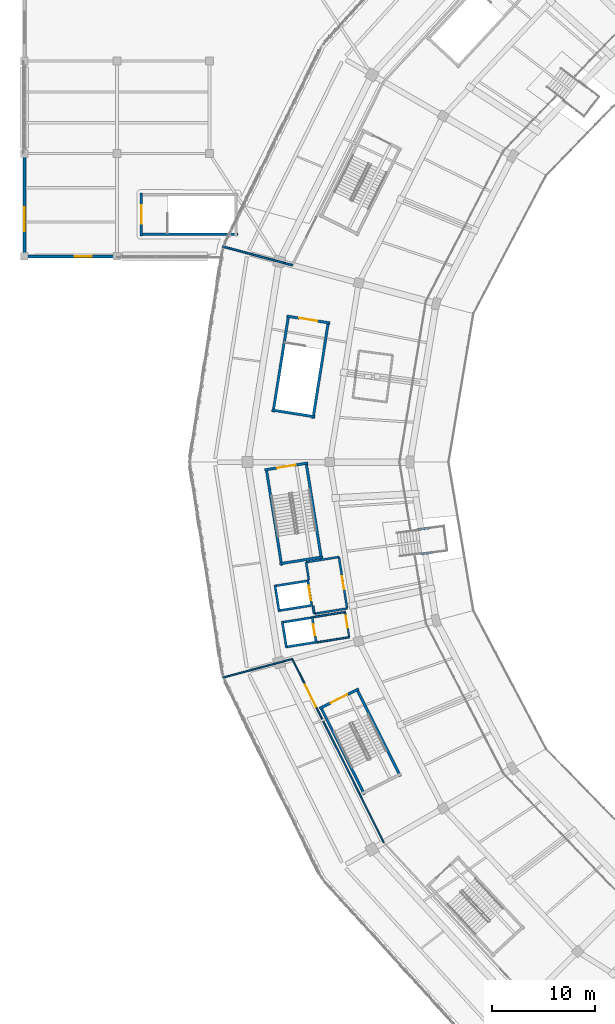
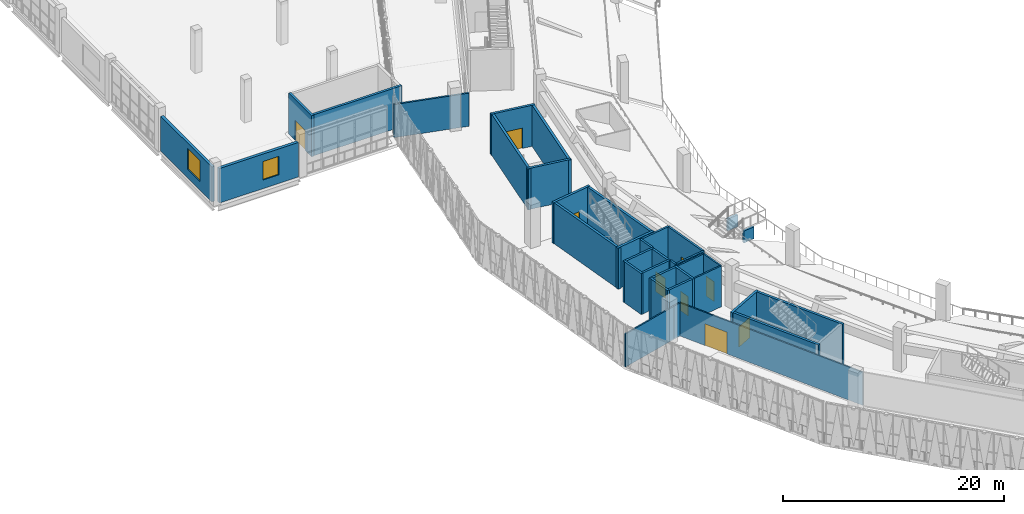
# One storey, part 93 of 152: 38 walls, 9 doors, 2 windows, 11 openings.
"""IFC4 building model written with IfcOpenShell, lengths in metres."""

from ifc_helpers import new_model, si_unit, direction, frame, frame_2d, origin, place, context, subcontext, project, spatial, rectangle, extrude, material, layer, layer_set, type_object, element, fill, save


model = new_model("IFC4")

# Units and contexts
model_context = context("Model", 3, precision=1e-05, world=origin(), true_north=direction((0.0, 1.0)))
body_context = subcontext(model_context, "Body", "Model", "MODEL_VIEW")
ifc_project = project(units=[si_unit("LENGTHUNIT", "METRE"), si_unit("AREAUNIT", "SQUARE_METRE"), si_unit("VOLUMEUNIT", "CUBIC_METRE"), si_unit("PLANEANGLEUNIT", "RADIAN"), si_unit("MASSUNIT", "GRAM", prefix="KILO")], contexts=[model_context])

# Site, building, storey
site_placement = place(None, origin())
site = spatial("IfcSite", under=ifc_project, at=site_placement, CompositionType="ELEMENT")
building_placement = place(site_placement, origin())
building = spatial("IfcBuilding", under=site, at=building_placement, Name="Zevraka Park Crest Stadium", CompositionType="ELEMENT")
storey_placement = place(building_placement, frame((0.0, 0.0, 15.0)))
storey = spatial("IfcBuildingStorey", under=building, at=storey_placement, Name="L03", CompositionType="ELEMENT", Elevation=15.0)

# Wall, opening, window
ifc_material_1 = material(Name="Limestone and red clay brick masonry", Category="masonry")
ifc_layer_1 = layer(ifc_material_1, 0.300048828125)
ifc_layer_set_1 = layer_set([ifc_layer_1], Name="Limestone and red clay brick masonry")
wall_type_1 = type_object("IfcWallType", Name="EW02", PredefinedType="STANDARD", material=ifc_layer_set_1)
wall_1_placement = place(storey_placement, frame((0.0, 112.35009765625, 0.0), z_axis=(0.0, 0.0, 1.0), x_axis=(0.0, 1.0, 0.0)))
wall_1 = element("IfcWall", 1, at=wall_1_placement, inside=storey, type_object=wall_type_1, Name="Wing External Cavity Wall EW02 L03-NW-W-1", PredefinedType="STANDARD", context=body_context, shape_type="SweptSolid", body=[
    extrude(rectangle(XDim=9.2998046875, YDim=0.300048828125, at=frame_2d((4.64990234375, 0.0))), origin(), (0.0, 0.0, 1.0), 3.85693359375),
])
opening_1_placement = place(wall_1_placement, frame((2.10498046875, 0.0, 0.949951171875)))
opening_1 = element("IfcOpeningElement", 2, at=opening_1_placement, cuts=wall_1, Name="Opening WN35", PredefinedType="OPENING", context=body_context, shape_type="SweptSolid", body=[
    extrude(rectangle(XDim=2.300048828125, YDim=2.300048828125, at=frame_2d((1.14990234375, 1.14990234375))), frame((0.0, 0.159912109375, 0.0), z_axis=(0.0, -1.0, 0.0), x_axis=(1.0, 0.0, 0.0)), (0.0, 0.0, 1.0), 0.320068359375),
])
ifc_material_2 = material(Name="Solar-control laminated double glazing in aluminium frame", Category="aluminium")
window_type_1 = type_object("IfcWindowType", Name="WN35", PartitioningType="SINGLE_PANEL", PredefinedType="WINDOW", material=ifc_material_2)
window_1_placement = place(opening_1_placement, origin())
window_1 = element("IfcWindow", 3, at=window_1_placement, inside=storey, type_object=window_type_1, Name="Facade Casement Window WN35 W-L03-035", OverallHeight=2.300048828125, OverallWidth=2.300048828125, PartitioningType="SINGLE_PANEL", PredefinedType="WINDOW", context=body_context, shape_type="SweptSolid", body=[
    extrude(rectangle(XDim=2.300048828125, YDim=2.300048828125, at=frame_2d((1.14990234375, 1.14990234375))), frame((0.0, 0.030029296875, 0.0), z_axis=(0.0, -1.0, 0.0), x_axis=(1.0, 0.0, 0.0)), (0.0, 0.0, 1.0), 0.06005859375),
])
fill(opening_1, window_1)

wall_2_placement = place(storey_placement, frame((8.64990234375, 112.0, 0.0), z_axis=(0.0, 0.0, 1.0), x_axis=(-1.0, 0.0, 0.0)))
wall_2 = element("IfcWall", 4, at=wall_2_placement, inside=storey, type_object=wall_type_1, Name="Wing External Cavity Wall EW02 L03-NW-S0-3", PredefinedType="STANDARD", context=body_context, shape_type="SweptSolid", body=[
    extrude(rectangle(XDim=8.2998046875, YDim=0.300048828125, at=frame_2d((4.14990234375, 0.0))), origin(), (0.0, 0.0, 1.0), 3.823486328125),
])
opening_2_placement = place(wall_2_placement, frame((2.080078125, 0.0, 0.949951171875)))
opening_2 = element("IfcOpeningElement", 5, at=opening_2_placement, cuts=wall_2, Name="Opening WN19", PredefinedType="OPENING", context=body_context, shape_type="SweptSolid", body=[
    extrude(rectangle(XDim=1.64990234375, YDim=2.050048828125, at=frame_2d((0.824951171875, 1.02490234375))), frame((0.0, 0.159912109375, 0.0), z_axis=(0.0, -1.0, 0.0), x_axis=(1.0, 0.0, 0.0)), (0.0, 0.0, 1.0), 0.320068359375),
])
ifc_material_3 = material(Name="Solar-control laminated double glazing in aluminium frame", Category="aluminium")
window_type_2 = type_object("IfcWindowType", Name="WN19", PartitioningType="SINGLE_PANEL", PredefinedType="WINDOW", material=ifc_material_3)
window_2_placement = place(opening_2_placement, origin())
window_2 = element("IfcWindow", 6, at=window_2_placement, inside=storey, type_object=window_type_2, Name="Facade Casement Window WN19 W-L03-060", OverallHeight=2.050048828125, OverallWidth=1.64990234375, PartitioningType="SINGLE_PANEL", PredefinedType="WINDOW", context=body_context, shape_type="SweptSolid", body=[
    extrude(rectangle(XDim=1.64990234375, YDim=2.050048828125, at=frame_2d((0.824951171875, 1.02490234375))), frame((0.0, 0.030029296875, 0.0), z_axis=(0.0, -1.0, 0.0), x_axis=(1.0, 0.0, 0.0)), (0.0, 0.0, 1.0), 0.06005859375),
])
fill(opening_2, window_2)

# Walls
ifc_material_4 = material(Name="Autoclaved aerated masonry blockwork", Category="masonry")
ifc_layer_2 = layer(ifc_material_4, 0.199951171875)
ifc_layer_set_2 = layer_set([ifc_layer_2], Name="Autoclaved aerated masonry blockwork")
wall_type_2 = type_object("IfcWallType", Name="IW01", PredefinedType="PARTITIONING", material=ifc_layer_set_2)
wall_3_placement = place(storey_placement, frame((28.18310546875, 77.256103515625, 0.0), z_axis=(0.0, 0.0, 1.0), x_axis=(-0.157482870509, 0.987521719, 0.0)))
element("IfcWall", 7, at=wall_3_placement, inside=storey, type_object=wall_type_2, Name="Firefighting Lift Lobby Wall IW01 FL03 L03 BACKL", PredefinedType="PARTITIONING", context=body_context, shape_type="SweptSolid", body=[
    extrude(rectangle(XDim=0.750244140625, YDim=0.199951171875, at=frame_2d((0.375, 0.0))), origin(), (0.0, 0.0, 1.0), 4.52001953125),
])
wall_4_placement = place(storey_placement, frame((27.656982421875, 80.56396484375, 0.0), z_axis=(0.0, 0.0, 1.0), x_axis=(-0.156960903537, 0.987604817101, 0.0)))
element("IfcWall", 8, at=wall_4_placement, inside=storey, type_object=wall_type_2, Name="Firefighting Lift Lobby Wall IW01 FL03 L03 BACKR", PredefinedType="PARTITIONING", context=body_context, shape_type="SweptSolid", body=[
    extrude(rectangle(XDim=1.72021484375, YDim=0.199951171875, at=frame_2d((0.860107421875, 0.0))), origin(), (0.0, 0.0, 1.0), 4.52001953125),
])
wall_5_placement = place(storey_placement, frame((28.18310546875, 77.256103515625, 0.0), z_axis=(0.0, 0.0, 1.0), x_axis=(0.987633675984, 0.156779214382, 0.0)))
element("IfcWall", 9, at=wall_5_placement, inside=storey, type_object=wall_type_2, Name="Firefighting Lift Lobby Wall IW01 FL03 L03 LEFT", PredefinedType="PARTITIONING", context=body_context, shape_type="SweptSolid", body=[
    extrude(rectangle(XDim=3.239013671875, YDim=0.199951171875, at=frame_2d((1.61962890625, 0.0))), origin(), (0.0, 0.0, 1.0), 4.52001953125),
])
wall_6_placement = place(storey_placement, frame((27.386962890625, 82.262939453125, 0.0), z_axis=(0.0, 0.0, 1.0), x_axis=(0.987629416648, 0.156806043797, 0.0)))
element("IfcWall", 10, at=wall_6_placement, inside=storey, type_object=wall_type_2, Name="Firefighting Lift Lobby Wall IW01 FL03 L03 RIGHT", PredefinedType="PARTITIONING", context=body_context, shape_type="SweptSolid", body=[
    extrude(rectangle(XDim=3.239990234375, YDim=0.199951171875, at=frame_2d((1.6201171875, 0.0))), origin(), (0.0, 0.0, 1.0), 4.52001953125),
])

# Wall, opening, door
wall_7_placement = place(storey_placement, frame((31.382080078125, 77.763916015625, 0.0), z_axis=(0.0, 0.0, 1.0), x_axis=(-0.156842848291, 0.987623572491, 0.0)))
wall_7 = element("IfcWall", 11, at=wall_7_placement, inside=storey, type_object=wall_type_2, Name="Firefighting Lift Lobby Wall IW01 FL03 L03 FRONT", PredefinedType="PARTITIONING", context=body_context, shape_type="SweptSolid", body=[
    extrude(rectangle(XDim=5.06982421875, YDim=0.199951171875, at=frame_2d((2.534912109375, 0.0))), origin(), (0.0, 0.0, 1.0), 4.52001953125),
])
opening_3_placement = place(wall_7_placement, frame((1.909912109375, 0.0, 0.0)))
opening_3 = element("IfcOpeningElement", 12, at=opening_3_placement, cuts=wall_7, Name="Opening D-L03-310", PredefinedType="OPENING", context=body_context, shape_type="SweptSolid", body=[
    extrude(rectangle(XDim=1.25, YDim=2.199951171875, at=frame_2d((0.625, 1.10009765625))), frame((0.0, 0.10986328125, 0.0), z_axis=(0.0, -1.0, 0.0), x_axis=(1.0, 0.0, 0.0)), (0.0, 0.0, 1.0), 0.219970703125),
])
ifc_material_5 = material(Name="Solid-core hardwood timber leaf in steel frame", Category="steel")
door_type_1 = type_object("IfcDoorType", Name="DR07", OperationType="NOTDEFINED", PredefinedType="DOOR", material=ifc_material_5)
door_1_placement = place(opening_3_placement, origin())
door_1 = element("IfcDoor", 13, at=door_1_placement, inside=storey, type_object=door_type_1, Name="Firefighting Lift Lobby FL03 Door D-L03-310", OperationType="SINGLE_SWING_RIGHT", OverallHeight=2.199951171875, OverallWidth=1.25, PredefinedType="DOOR", context=body_context, shape_type="SweptSolid", body=[
    extrude(rectangle(XDim=1.25, YDim=2.199951171875, at=frame_2d((0.625, 1.10009765625))), frame((0.0, 0.02490234375, 0.0), z_axis=(0.0, -1.0, 0.0), x_axis=(1.0, 0.0, 0.0)), (0.0, 0.0, 1.0), 0.050048828125),
])
fill(opening_3, door_1)

# Walls
ifc_material_6 = material(Name="Fire-rated twin-stud acoustic drywall", Category="other")
ifc_layer_3 = layer(ifc_material_6, 0.159912109375)
ifc_layer_set_3 = layer_set([ifc_layer_3], Name="Fire-rated twin-stud acoustic drywall")
wall_type_3 = type_object("IfcWallType", Name="IW02", PredefinedType="PARTITIONING", material=ifc_layer_set_3)
wall_8_placement = place(storey_placement, frame((28.452880859375, 74.472900390625, 0.0), z_axis=(0.0, 0.0, 1.0), x_axis=(0.987632121619, 0.156789005818, 0.0)))
element("IfcWall", 14, at=wall_8_placement, inside=storey, type_object=wall_type_3, Name="Passenger Lift Lobby Wall IW02 PL03 L03 LEFT", PredefinedType="PARTITIONING", context=body_context, shape_type="SweptSolid", body=[
    extrude(rectangle(XDim=3.17041015625, YDim=0.159912109375, at=frame_2d((1.585205078125, 0.0))), origin(), (0.0, 0.0, 1.0), 4.52001953125),
])
wall_9_placement = place(storey_placement, frame((28.06396484375, 76.923095703125, 0.0), z_axis=(0.0, 0.0, 1.0), x_axis=(0.987644043639, 0.156713889186, 0.0)))
element("IfcWall", 15, at=wall_9_placement, inside=storey, type_object=wall_type_3, Name="Passenger Lift Lobby Wall IW02 PL03 L03 RIGHT", PredefinedType="PARTITIONING", context=body_context, shape_type="SweptSolid", body=[
    extrude(rectangle(XDim=3.170166015625, YDim=0.159912109375, at=frame_2d((1.5849609375, 0.0))), origin(), (0.0, 0.0, 1.0), 4.52001953125),
])

# Wall, opening, door
wall_10_placement = place(storey_placement, frame((31.583984375, 74.969970703125, 0.0), z_axis=(0.0, 0.0, 1.0), x_axis=(-0.156781258489, 0.987633351496, 0.0)))
wall_10 = element("IfcWall", 16, at=wall_10_placement, inside=storey, type_object=wall_type_3, Name="Passenger Lift Lobby Wall IW02 PL03 L03 FRONT", PredefinedType="PARTITIONING", context=body_context, shape_type="SweptSolid", body=[
    extrude(rectangle(XDim=2.480712890625, YDim=0.159912109375, at=frame_2d((1.240234375, 0.0))), origin(), (0.0, 0.0, 1.0), 4.52001953125),
])
opening_4_placement = place(wall_10_placement, frame((0.962890625, 0.0, 0.0)))
opening_4 = element("IfcOpeningElement", 17, at=opening_4_placement, cuts=wall_10, Name="Opening D-L03-316", PredefinedType="OPENING", context=body_context, shape_type="SweptSolid", body=[
    extrude(rectangle(XDim=1.14990234375, YDim=2.199951171875, at=frame_2d((0.574951171875, 1.10009765625))), frame((0.0, 0.08984375, 0.0), z_axis=(0.0, -1.0, 0.0), x_axis=(1.0, 0.0, 0.0)), (0.0, 0.0, 1.0), 0.179931640625),
])
ifc_material_7 = material(Name="Solid-core hardwood timber leaf in steel frame", Category="steel")
door_type_2 = type_object("IfcDoorType", Name="DR03", OperationType="NOTDEFINED", PredefinedType="DOOR", material=ifc_material_7)
door_2_placement = place(opening_4_placement, origin())
door_2 = element("IfcDoor", 18, at=door_2_placement, inside=storey, type_object=door_type_2, Name="Passenger Lift Lobby PL03 Door D-L03-316", OperationType="SINGLE_SWING_RIGHT", OverallHeight=2.199951171875, OverallWidth=1.14990234375, PredefinedType="DOOR", context=body_context, shape_type="SweptSolid", body=[
    extrude(rectangle(XDim=1.14990234375, YDim=2.199951171875, at=frame_2d((0.574951171875, 1.10009765625))), frame((0.0, 0.02490234375, 0.0), z_axis=(0.0, -1.0, 0.0), x_axis=(1.0, 0.0, 0.0)), (0.0, 0.0, 1.0), 0.050048828125),
])
fill(opening_4, door_2)

ifc_material_8 = material(Name="Fire-rated twin-stud acoustic drywall", Category="other")
ifc_layer_4 = layer(ifc_material_8, 0.139892578125)
ifc_layer_set_4 = layer_set([ifc_layer_4], Name="Fire-rated twin-stud acoustic drywall")
wall_type_4 = type_object("IfcWallType", Name="IW03", PredefinedType="PARTITIONING", material=ifc_layer_set_4)
wall_11_placement = place(storey_placement, frame((26.052001953125, 72.85302734375, 0.0), z_axis=(0.0, 0.0, 1.0), x_axis=(0.44590512567, -0.895080230427, 0.0)))
wall_11 = element("IfcWall", 19, at=wall_11_placement, inside=storey, type_object=wall_type_4, Name="Interior Partition IW03 Sensory Inclusion Viewing Lounge L03", PredefinedType="PARTITIONING", context=body_context, shape_type="SweptSolid", body=[
    extrude(rectangle(XDim=19.9345703125, YDim=0.139892578125, at=frame_2d((9.96728515625, 0.0))), origin(), (0.0, 0.0, 1.0), 3.6650390625),
])
opening_5_placement = place(wall_11_placement, frame((2.783935546875, 0.0, 0.0)))
opening_5 = element("IfcOpeningElement", 20, at=opening_5_placement, cuts=wall_11, Name="Opening D-L03-445", PredefinedType="OPENING", context=body_context, shape_type="SweptSolid", body=[
    extrude(rectangle(XDim=2.39990234375, YDim=2.39990234375, at=frame_2d((1.199951171875, 1.199951171875))), frame((0.0, 0.079833984375, 0.0), z_axis=(0.0, -1.0, 0.0), x_axis=(1.0, 0.0, 0.0)), (0.0, 0.0, 1.0), 0.159912109375),
])
ifc_material_9 = material(Name="Solid-core hardwood timber leaf in steel frame", Category="steel")
door_type_3 = type_object("IfcDoorType", Name="DR18", OperationType="NOTDEFINED", PredefinedType="DOOR", material=ifc_material_9)
door_3_placement = place(opening_5_placement, origin())
door_3 = element("IfcDoor", 21, at=door_3_placement, inside=storey, type_object=door_type_3, Name="Sensory Inclusion Viewing Lounge Door D-L03-445", OperationType="DOUBLE_DOOR_SINGLE_SWING", OverallHeight=2.39990234375, OverallWidth=2.39990234375, PredefinedType="DOOR", context=body_context, shape_type="SweptSolid", body=[
    extrude(rectangle(XDim=2.39990234375, YDim=2.39990234375, at=frame_2d((1.199951171875, 1.199951171875))), frame((0.0, 0.02490234375, 0.0), z_axis=(0.0, -1.0, 0.0), x_axis=(1.0, 0.0, 0.0)), (0.0, 0.0, 1.0), 0.050048828125),
])
fill(opening_5, door_3)

# Walls
wall_12_placement = place(storey_placement, frame((26.052001953125, 72.85302734375, 0.0), z_axis=(0.0, 0.0, 1.0), x_axis=(-0.965793122626, -0.259313795023, 0.0)))
element("IfcWall", 22, at=wall_12_placement, inside=storey, type_object=wall_type_4, Name="Interior Partition IW03 Sensory Inclusion Viewing Lounge L03", PredefinedType="PARTITIONING", context=body_context, shape_type="SweptSolid", body=[
    extrude(rectangle(XDim=0.8095703125, YDim=0.139892578125, at=frame_2d((0.40478515625, 0.0))), origin(), (0.0, 0.0, 1.0), 3.6650390625),
])
wall_13_placement = place(storey_placement, frame((25.283935546875, 72.64697265625, 0.0), z_axis=(0.0, 0.0, 1.0), x_axis=(-0.965928970226, -0.258807311483, 0.0)))
element("IfcWall", 23, at=wall_13_placement, inside=storey, type_object=wall_type_4, Name="Interior Partition IW03 Sensory Inclusion Viewing Lounge L03", PredefinedType="PARTITIONING", context=body_context, shape_type="SweptSolid", body=[
    extrude(rectangle(XDim=6.22509765625, YDim=0.139892578125, at=frame_2d((3.112548828125, 0.0))), origin(), (0.0, 0.0, 1.0), 3.6650390625),
])
ifc_material_10 = material(Name="Fire-rated twin-stud acoustic drywall", Category="other")
ifc_layer_5 = layer(ifc_material_10, 0.179931640625)
ifc_layer_set_5 = layer_set([ifc_layer_5], Name="Fire-rated twin-stud acoustic drywall")
wall_type_5 = type_object("IfcWallType", Name="IW06", PredefinedType="PARTITIONING", material=ifc_layer_set_5)
wall_14_placement = place(storey_placement, frame((26.052001953125, 111.14697265625, 0.0), z_axis=(0.0, 0.0, 1.0), x_axis=(-0.965793122626, 0.259313795023, 0.0)))
element("IfcWall", 24, at=wall_14_placement, inside=storey, type_object=wall_type_5, Name="Interior Partition IW06 Park View Supporter Bar L03", PredefinedType="PARTITIONING", context=body_context, shape_type="SweptSolid", body=[
    extrude(rectangle(XDim=0.8095703125, YDim=0.179931640625, at=frame_2d((0.40478515625, 0.0))), origin(), (0.0, 0.0, 1.0), 3.6650390625),
])
wall_15_placement = place(storey_placement, frame((25.283935546875, 111.35302734375, 0.0), z_axis=(0.0, 0.0, 1.0), x_axis=(-0.965928970226, 0.258807311483, 0.0)))
element("IfcWall", 25, at=wall_15_placement, inside=storey, type_object=wall_type_5, Name="Interior Partition IW06 Park View Supporter Bar L03", PredefinedType="PARTITIONING", context=body_context, shape_type="SweptSolid", body=[
    extrude(rectangle(XDim=6.22509765625, YDim=0.179931640625, at=frame_2d((3.112548828125, 0.0))), origin(), (0.0, 0.0, 1.0), 3.6650390625),
])
ifc_material_11 = material(Name="Concrete C40/50", Category="concrete")
ifc_layer_6 = layer(ifc_material_11, 0.25)
ifc_layer_set_6 = layer_set([ifc_layer_6], Name="Concrete C40/50")
wall_type_6 = type_object("IfcWallType", Name="SW01", PredefinedType="SHEAR", material=ifc_layer_set_6)
for number, where, z_axis, x_axis, name in (
    (26, (25.69140625, 106.28955078125, 0.0), (0.0, 0.0, 1.0), (-0.157272580499, -0.987555231581, 0.0), "Stair Core Shear Wall SW01 ST12 L03 left"),
    (27, (28.060791015625, 96.241943359375, 0.0), (0.0, 0.0, 1.0), (0.157247648214, 0.987559201836, 0.0), "Stair Core Shear Wall SW01 ST12 L03 right"),
):
    element("IfcWall", number, at=place(storey_placement, frame(where, z_axis=z_axis, x_axis=x_axis)), inside=storey, type_object=wall_type_6, Name=name, PredefinedType="SHEAR", context=body_context, shape_type="SweptSolid", body=[
        extrude(rectangle(XDim=9.550048828125, YDim=0.25, at=frame_2d((4.77490234375, 0.0))), origin(), (0.0, 0.0, 1.0), 4.5400390625),
    ])

# Wall, opening, door
wall_16_placement = place(storey_placement, frame((29.710693359375, 105.522705078125, 0.0), z_axis=(0.0, 0.0, 1.0), x_axis=(-0.987548759282, 0.157313216355, 0.0)))
wall_16 = element("IfcWall", 28, at=wall_16_placement, inside=storey, type_object=wall_type_6, Name="Stair Core Shear Wall SW01 ST12 L03 near", PredefinedType="SHEAR", context=body_context, shape_type="SweptSolid", body=[
    extrude(rectangle(XDim=4.260009765625, YDim=0.25, at=frame_2d((2.1298828125, 0.0))), origin(), (0.0, 0.0, 1.0), 4.5400390625),
])
opening_6_placement = place(wall_16_placement, frame((1.22998046875, 0.0, 0.0)))
opening_6 = element("IfcOpeningElement", 29, at=opening_6_placement, cuts=wall_16, Name="Opening D-L03-072", PredefinedType="OPENING", context=body_context, shape_type="SweptSolid", body=[
    extrude(rectangle(XDim=1.800048828125, YDim=2.25, at=frame_2d((0.89990234375, 1.125))), frame((0.0, 0.135009765625, 0.0), z_axis=(0.0, -1.0, 0.0), x_axis=(1.0, 0.0, 0.0)), (0.0, 0.0, 1.0), 0.27001953125),
])
ifc_material_12 = material(Name="Solid-core hardwood timber leaf in steel frame", Category="steel")
door_type_4 = type_object("IfcDoorType", Name="DR04", OperationType="NOTDEFINED", PredefinedType="DOOR", material=ifc_material_12)
door_4_placement = place(opening_6_placement, origin())
door_4 = element("IfcDoor", 30, at=door_4_placement, inside=storey, type_object=door_type_4, Name="Protected Stair Entry Door ST12 L03", OperationType="DOUBLE_DOOR_SINGLE_SWING", OverallHeight=2.25, OverallWidth=1.800048828125, PredefinedType="DOOR", context=body_context, shape_type="SweptSolid", body=[
    extrude(rectangle(XDim=1.800048828125, YDim=2.25, at=frame_2d((0.89990234375, 1.125))), frame((0.0, 0.02490234375, 0.0), z_axis=(0.0, -1.0, 0.0), x_axis=(1.0, 0.0, 0.0)), (0.0, 0.0, 1.0), 0.050048828125),
])
fill(opening_6, door_4)

# Walls
wall_17_placement = place(storey_placement, frame((24.05078125, 97.067626953125, 0.0), z_axis=(0.0, 0.0, 1.0), x_axis=(0.987556243614, -0.157266225551, 0.0)))
element("IfcWall", 31, at=wall_17_placement, inside=storey, type_object=wall_type_6, Name="Stair Core Shear Wall SW01 ST12 L03 far", PredefinedType="SHEAR", context=body_context, shape_type="SweptSolid", body=[
    extrude(rectangle(XDim=4.259765625, YDim=0.25, at=frame_2d((2.1298828125, 0.0))), origin(), (0.0, 0.0, 1.0), 4.5400390625),
])
for number, where, z_axis, x_axis, name in (
    (32, (23.513671875, 91.388427734375, 0.0), (0.0, 0.0, 1.0), (0.157268610044, -0.987555863886, 0.0), "Stair Core Shear Wall SW01 ST13 L03 left"),
    (33, (28.88671875, 82.573486328125, 0.0), (0.0, 0.0, 1.0), (-0.157243678356, 0.987559833943, 0.0), "Stair Core Shear Wall SW01 ST13 L03 right"),
):
    element("IfcWall", number, at=place(storey_placement, frame(where, z_axis=z_axis, x_axis=x_axis)), inside=storey, type_object=wall_type_6, Name=name, PredefinedType="SHEAR", context=body_context, shape_type="SweptSolid", body=[
        extrude(rectangle(XDim=9.55029296875, YDim=0.25, at=frame_2d((4.775146484375, 0.0))), origin(), (0.0, 0.0, 1.0), 4.5400390625),
    ])

# Wall, opening, door
wall_18_placement = place(storey_placement, frame((27.572509765625, 91.907958984375, 0.0), z_axis=(0.0, 0.0, 1.0), x_axis=(-0.987557660991, -0.157257324847, 0.0)))
wall_18 = element("IfcWall", 34, at=wall_18_placement, inside=storey, type_object=wall_type_6, Name="Stair Core Shear Wall SW01 ST13 L03 near", PredefinedType="SHEAR", context=body_context, shape_type="SweptSolid", body=[
    extrude(rectangle(XDim=4.260009765625, YDim=0.25, at=frame_2d((2.1298828125, 0.0))), origin(), (0.0, 0.0, 1.0), 4.5400390625),
])
opening_7_placement = place(wall_18_placement, frame((1.22998046875, 0.0, 0.0)))
opening_7 = element("IfcOpeningElement", 35, at=opening_7_placement, cuts=wall_18, Name="Opening D-L03-077", PredefinedType="OPENING", context=body_context, shape_type="SweptSolid", body=[
    extrude(rectangle(XDim=1.800048828125, YDim=2.25, at=frame_2d((0.89990234375, 1.125))), frame((0.0, 0.135009765625, 0.0), z_axis=(0.0, -1.0, 0.0), x_axis=(1.0, 0.0, 0.0)), (0.0, 0.0, 1.0), 0.27001953125),
])
door_5_placement = place(opening_7_placement, origin())
door_5 = element("IfcDoor", 36, at=door_5_placement, inside=storey, type_object=door_type_4, Name="Protected Stair Entry Door ST13 L03", OperationType="DOUBLE_DOOR_SINGLE_SWING", OverallHeight=2.25, OverallWidth=1.800048828125, PredefinedType="DOOR", context=body_context, shape_type="SweptSolid", body=[
    extrude(rectangle(XDim=1.800048828125, YDim=2.25, at=frame_2d((0.89990234375, 1.125))), frame((0.0, 0.02490234375, 0.0), z_axis=(0.0, -1.0, 0.0), x_axis=(1.0, 0.0, 0.0)), (0.0, 0.0, 1.0), 0.050048828125),
])
fill(opening_7, door_5)

# Walls
wall_19_placement = place(storey_placement, frame((24.818603515625, 82.113037109375, 0.0), z_axis=(0.0, 0.0, 1.0), x_axis=(0.987557660991, 0.157257324847, 0.0)))
element("IfcWall", 37, at=wall_19_placement, inside=storey, type_object=wall_type_6, Name="Stair Core Shear Wall SW01 ST13 L03 far", PredefinedType="SHEAR", context=body_context, shape_type="SweptSolid", body=[
    extrude(rectangle(XDim=4.260009765625, YDim=0.25, at=frame_2d((2.1298828125, 0.0))), origin(), (0.0, 0.0, 1.0), 4.5400390625),
])
for number, where, z_axis, x_axis, name in (
    (38, (28.785400390625, 68.2255859375, 0.0), (0.0, 0.0, 1.0), (0.447919041961, -0.894074119885, 0.0), "Stair Core Shear Wall SW01 ST14 L03 left"),
    (39, (36.56787109375, 61.443115234375, 0.0), (0.0, 0.0, 1.0), (-0.447919041961, 0.894074119885, 0.0), "Stair Core Shear Wall SW01 ST14 L03 right"),
):
    element("IfcWall", number, at=place(storey_placement, frame(where, z_axis=z_axis, x_axis=x_axis)), inside=storey, type_object=wall_type_6, Name=name, PredefinedType="SHEAR", context=body_context, shape_type="SweptSolid", body=[
        extrude(rectangle(XDim=9.5498046875, YDim=0.25, at=frame_2d((4.77490234375, 0.0))), origin(), (0.0, 0.0, 1.0), 4.5400390625),
    ])

# Wall, opening, door
wall_20_placement = place(storey_placement, frame((32.498291015625, 69.94580078125, 0.0), z_axis=(0.0, 0.0, 1.0), x_axis=(-0.89409454548, -0.447878268888, 0.0)))
wall_20 = element("IfcWall", 40, at=wall_20_placement, inside=storey, type_object=wall_type_6, Name="Stair Core Shear Wall SW01 ST14 L03 near", PredefinedType="SHEAR", context=body_context, shape_type="SweptSolid", body=[
    extrude(rectangle(XDim=4.260009765625, YDim=0.25, at=frame_2d((2.1298828125, 0.0))), origin(), (0.0, 0.0, 1.0), 4.5400390625),
])
opening_8_placement = place(wall_20_placement, frame((1.22998046875, 0.0, 0.0)))
opening_8 = element("IfcOpeningElement", 41, at=opening_8_placement, cuts=wall_20, Name="Opening D-L03-084", PredefinedType="OPENING", context=body_context, shape_type="SweptSolid", body=[
    extrude(rectangle(XDim=1.800048828125, YDim=2.25, at=frame_2d((0.89990234375, 1.125))), frame((0.0, 0.135009765625, 0.0), z_axis=(0.0, -1.0, 0.0), x_axis=(1.0, 0.0, 0.0)), (0.0, 0.0, 1.0), 0.27001953125),
])
door_6_placement = place(opening_8_placement, origin())
door_6 = element("IfcDoor", 42, at=door_6_placement, inside=storey, type_object=door_type_4, Name="Protected Stair Entry Door ST14 L03", OperationType="DOUBLE_DOOR_SINGLE_SWING", OverallHeight=2.25, OverallWidth=1.800048828125, PredefinedType="DOOR", context=body_context, shape_type="SweptSolid", body=[
    extrude(rectangle(XDim=1.800048828125, YDim=2.25, at=frame_2d((0.89990234375, 1.125))), frame((0.0, 0.02490234375, 0.0), z_axis=(0.0, -1.0, 0.0), x_axis=(1.0, 0.0, 0.0)), (0.0, 0.0, 1.0), 0.050048828125),
])
fill(opening_8, door_6)

# Wall
wall_21_placement = place(storey_placement, frame((11.25, 114.169921875, 0.0), z_axis=(0.0, 0.0, 1.0), x_axis=(1.0, 0.0, 0.0)))
element("IfcWall", 43, at=wall_21_placement, inside=storey, type_object=wall_type_6, Name="Stair Core Shear Wall SW01 ST48 L03 left", PredefinedType="SHEAR", context=body_context, shape_type="SweptSolid", body=[
    extrude(rectangle(XDim=9.5, YDim=0.25, at=frame_2d((4.75, 0.0))), origin(), (0.0, 0.0, 1.0), 4.5400390625),
])

# Wall, opening, door
wall_22_placement = place(storey_placement, frame((11.375, 118.159912109375, 0.0), z_axis=(0.0, 0.0, 1.0), x_axis=(0.0, -1.0, 0.0)))
wall_22 = element("IfcWall", 44, at=wall_22_placement, inside=storey, type_object=wall_type_6, Name="Stair Core Shear Wall SW01 ST48 L03 near", PredefinedType="SHEAR", context=body_context, shape_type="SweptSolid", body=[
    extrude(rectangle(XDim=4.159912109375, YDim=0.25, at=frame_2d((2.080078125, 0.0))), origin(), (0.0, 0.0, 1.0), 4.5400390625),
])
opening_9_placement = place(wall_22_placement, frame((1.179931640625, 0.0, 0.0)))
opening_9 = element("IfcOpeningElement", 45, at=opening_9_placement, cuts=wall_22, Name="Opening D-L03-252", PredefinedType="OPENING", context=body_context, shape_type="SweptSolid", body=[
    extrude(rectangle(XDim=1.800048828125, YDim=2.25, at=frame_2d((0.89990234375, 1.125))), frame((0.0, 0.135009765625, 0.0), z_axis=(0.0, -1.0, 0.0), x_axis=(1.0, 0.0, 0.0)), (0.0, 0.0, 1.0), 0.27001953125),
])
door_7_placement = place(opening_9_placement, origin())
door_7 = element("IfcDoor", 46, at=door_7_placement, inside=storey, type_object=door_type_4, Name="Protected Stair Entry Door ST48 L03", OperationType="DOUBLE_DOOR_SINGLE_SWING", OverallHeight=2.25, OverallWidth=1.800048828125, PredefinedType="DOOR", context=body_context, shape_type="SweptSolid", body=[
    extrude(rectangle(XDim=1.800048828125, YDim=2.25, at=frame_2d((0.89990234375, 1.125))), frame((0.0, 0.02490234375, 0.0), z_axis=(0.0, -1.0, 0.0), x_axis=(1.0, 0.0, 0.0)), (0.0, 0.0, 1.0), 0.050048828125),
])
fill(opening_9, door_7)

# Walls
ifc_material_13 = material(Name="Concrete C40/50", Category="concrete")
ifc_layer_7 = layer(ifc_material_13, 0.219970703125)
ifc_layer_set_7 = layer_set([ifc_layer_7], Name="Concrete C40/50")
wall_type_7 = type_object("IfcWallType", Name="SW02", PredefinedType="SHEAR", material=ifc_layer_set_7)
for number, where, z_axis, x_axis, name in (
    (47, (38.60400390625, 83.068115234375, -0.300048828125), (0.0, 0.0, 1.0), (0.991477694447, 0.130276557423, 0.0), "Vomitory Portal Support Wall SW02 VS-13-1"),
    (48, (38.291015625, 85.447998046875, -0.300048828125), (0.0, 0.0, 1.0), (0.991477694447, 0.130276557423, 0.0), "Vomitory Portal Support Wall SW02 VS-13-2"),
):
    element("IfcWall", number, at=place(storey_placement, frame(where, z_axis=z_axis, x_axis=x_axis)), inside=storey, type_object=wall_type_7, Name=name, PredefinedType="SHEAR", context=body_context, shape_type="SweptSolid", body=[
        extrude(rectangle(XDim=1.1357421875, YDim=0.219970703125, at=frame_2d((0.56787109375, 0.0))), origin(), (0.0, 0.0, 1.0), 1.320068359375),
    ])
wall_23_placement = place(storey_placement, frame((24.364990234375, 80.06298828125, 0.0), z_axis=(0.0, 0.0, 1.0), x_axis=(0.156807626334, -0.987629165387, 0.0)))
element("IfcWall", 49, at=wall_23_placement, inside=storey, type_object=wall_type_7, Name="Lift Shaft Shear Wall SW02 FL03 L03-1", PredefinedType="SHEAR", context=body_context, shape_type="SweptSolid", body=[
    extrude(rectangle(XDim=2.640625, YDim=0.219970703125, at=frame_2d((1.3203125, 0.0))), origin(), (0.0, 0.0, 1.0), 4.5400390625),
])
wall_24_placement = place(storey_placement, frame((24.653076171875, 77.547119140625, 0.0), z_axis=(0.0, 0.0, 1.0), x_axis=(0.987703627881, 0.156337914372, 0.0)))
element("IfcWall", 50, at=wall_24_placement, inside=storey, type_object=wall_type_7, Name="Lift Shaft Shear Wall SW02 FL03 L03-2", PredefinedType="SHEAR", context=body_context, shape_type="SweptSolid", body=[
    extrude(rectangle(XDim=3.440185546875, YDim=0.219970703125, at=frame_2d((1.72021484375, 0.0))), origin(), (0.0, 0.0, 1.0), 4.5400390625),
])

# Wall, opening, door
wall_25_placement = place(storey_placement, frame((27.958984375, 77.958984375, 0.0), z_axis=(0.0, 0.0, 1.0), x_axis=(-0.156807626334, 0.987629165387, 0.0)))
wall_25 = element("IfcWall", 51, at=wall_25_placement, inside=storey, type_object=wall_type_7, Name="Lift Shaft Shear Wall SW02 FL03 L03-3", PredefinedType="SHEAR", context=body_context, shape_type="SweptSolid", body=[
    extrude(rectangle(XDim=2.640625, YDim=0.219970703125, at=frame_2d((1.3203125, 0.0))), origin(), (0.0, 0.0, 1.0), 4.5400390625),
])
opening_10_placement = place(wall_25_placement, frame((0.6201171875, 0.0, 0.0)))
opening_10 = element("IfcOpeningElement", 52, at=opening_10_placement, cuts=wall_25, Name="Opening LD-FL03-L03", PredefinedType="OPENING", context=body_context, shape_type="SweptSolid", body=[
    extrude(rectangle(XDim=1.39990234375, YDim=2.199951171875, at=frame_2d((0.699951171875, 1.10009765625))), frame((0.0, 0.119873046875, 0.0), z_axis=(0.0, -1.0, 0.0), x_axis=(1.0, 0.0, 0.0)), (0.0, 0.0, 1.0), 0.239990234375),
])
ifc_material_14 = material(Name="Brushed stainless steel lift landing doors", Category="steel")
door_type_5 = type_object("IfcDoorType", Name="LD01", OperationType="NOTDEFINED", PredefinedType="DOOR", material=ifc_material_14)
door_8_placement = place(opening_10_placement, origin())
door_8 = element("IfcDoor", 53, at=door_8_placement, inside=storey, type_object=door_type_5, Name="Lift Sliding Landing Door LD-FL03-L03", OperationType="SLIDING_TO_LEFT", OverallHeight=2.199951171875, OverallWidth=1.39990234375, PredefinedType="DOOR", context=body_context, shape_type="SweptSolid", body=[
    extrude(rectangle(XDim=1.39990234375, YDim=2.199951171875, at=frame_2d((0.699951171875, 1.10009765625))), frame((0.0, 0.02490234375, 0.0), z_axis=(0.0, -1.0, 0.0), x_axis=(1.0, 0.0, 0.0)), (0.0, 0.0, 1.0), 0.050048828125),
])
fill(opening_10, door_8)

# Walls
wall_26_placement = place(storey_placement, frame((27.6708984375, 80.47509765625, 0.0), z_axis=(0.0, 0.0, 1.0), x_axis=(-0.987692667337, -0.156407144619, 0.0)))
element("IfcWall", 54, at=wall_26_placement, inside=storey, type_object=wall_type_7, Name="Lift Shaft Shear Wall SW02 FL03 L03-4", PredefinedType="SHEAR", context=body_context, shape_type="SweptSolid", body=[
    extrude(rectangle(XDim=3.440185546875, YDim=0.219970703125, at=frame_2d((1.72021484375, 0.0))), origin(), (0.0, 0.0, 1.0), 4.5400390625),
])
wall_27_placement = place(storey_placement, frame((25.077880859375, 76.530029296875, 0.0), z_axis=(0.0, 0.0, 1.0), x_axis=(0.156807626334, -0.987629165387, 0.0)))
element("IfcWall", 55, at=wall_27_placement, inside=storey, type_object=wall_type_7, Name="Lift Shaft Shear Wall SW02 PL03 L03-1", PredefinedType="SHEAR", context=body_context, shape_type="SweptSolid", body=[
    extrude(rectangle(XDim=2.640625, YDim=0.219970703125, at=frame_2d((1.3203125, 0.0))), origin(), (0.0, 0.0, 1.0), 4.5400390625),
])
wall_28_placement = place(storey_placement, frame((25.365966796875, 74.013916015625, 0.0), z_axis=(0.0, 0.0, 1.0), x_axis=(0.987645460109, 0.156704962032, 0.0)))
element("IfcWall", 56, at=wall_28_placement, inside=storey, type_object=wall_type_7, Name="Lift Shaft Shear Wall SW02 PL03 L03-2", PredefinedType="SHEAR", context=body_context, shape_type="SweptSolid", body=[
    extrude(rectangle(XDim=3.140869140625, YDim=0.219970703125, at=frame_2d((1.5703125, 0.0))), origin(), (0.0, 0.0, 1.0), 4.5400390625),
])

# Wall, opening, door
wall_29_placement = place(storey_placement, frame((28.3759765625, 74.3798828125, 0.0), z_axis=(0.0, 0.0, 1.0), x_axis=(-0.156793308963, 0.987631438475, 0.0)))
wall_29 = element("IfcWall", 57, at=wall_29_placement, inside=storey, type_object=wall_type_7, Name="Lift Shaft Shear Wall SW02 PL03 L03-3", PredefinedType="SHEAR", context=body_context, shape_type="SweptSolid", body=[
    extrude(rectangle(XDim=2.640869140625, YDim=0.219970703125, at=frame_2d((1.3203125, 0.0))), origin(), (0.0, 0.0, 1.0), 4.5400390625),
])
opening_11_placement = place(wall_29_placement, frame((0.77001953125, 0.0, 0.0)))
opening_11 = element("IfcOpeningElement", 58, at=opening_11_placement, cuts=wall_29, Name="Opening LD-PL03-L03", PredefinedType="OPENING", context=body_context, shape_type="SweptSolid", body=[
    extrude(rectangle(XDim=1.10009765625, YDim=2.14990234375, at=frame_2d((0.550048828125, 1.074951171875))), frame((0.0, 0.119873046875, 0.0), z_axis=(0.0, -1.0, 0.0), x_axis=(1.0, 0.0, 0.0)), (0.0, 0.0, 1.0), 0.239990234375),
])
ifc_material_15 = material(Name="Brushed stainless steel lift landing doors", Category="steel")
door_type_6 = type_object("IfcDoorType", Name="LD02", OperationType="NOTDEFINED", PredefinedType="DOOR", material=ifc_material_15)
door_9_placement = place(opening_11_placement, origin())
door_9 = element("IfcDoor", 59, at=door_9_placement, inside=storey, type_object=door_type_6, Name="Lift Sliding Landing Door LD-PL03-L03", OperationType="SLIDING_TO_LEFT", OverallHeight=2.14990234375, OverallWidth=1.10009765625, PredefinedType="DOOR", context=body_context, shape_type="SweptSolid", body=[
    extrude(rectangle(XDim=1.10009765625, YDim=2.14990234375, at=frame_2d((0.550048828125, 1.074951171875))), frame((0.0, 0.02490234375, 0.0), z_axis=(0.0, -1.0, 0.0), x_axis=(1.0, 0.0, 0.0)), (0.0, 0.0, 1.0), 0.050048828125),
])
fill(opening_11, door_9)

# Wall
wall_30_placement = place(storey_placement, frame((28.087890625, 76.89599609375, 0.0), z_axis=(0.0, 0.0, 1.0), x_axis=(-0.98765558045, -0.156641164471, 0.0)))
element("IfcWall", 60, at=wall_30_placement, inside=storey, type_object=wall_type_7, Name="Lift Shaft Shear Wall SW02 PL03 L03-4", PredefinedType="SHEAR", context=body_context, shape_type="SweptSolid", body=[
    extrude(rectangle(XDim=3.140625, YDim=0.219970703125, at=frame_2d((1.5703125, 0.0))), origin(), (0.0, 0.0, 1.0), 4.5400390625),
])

save(model, "model.ifc")
